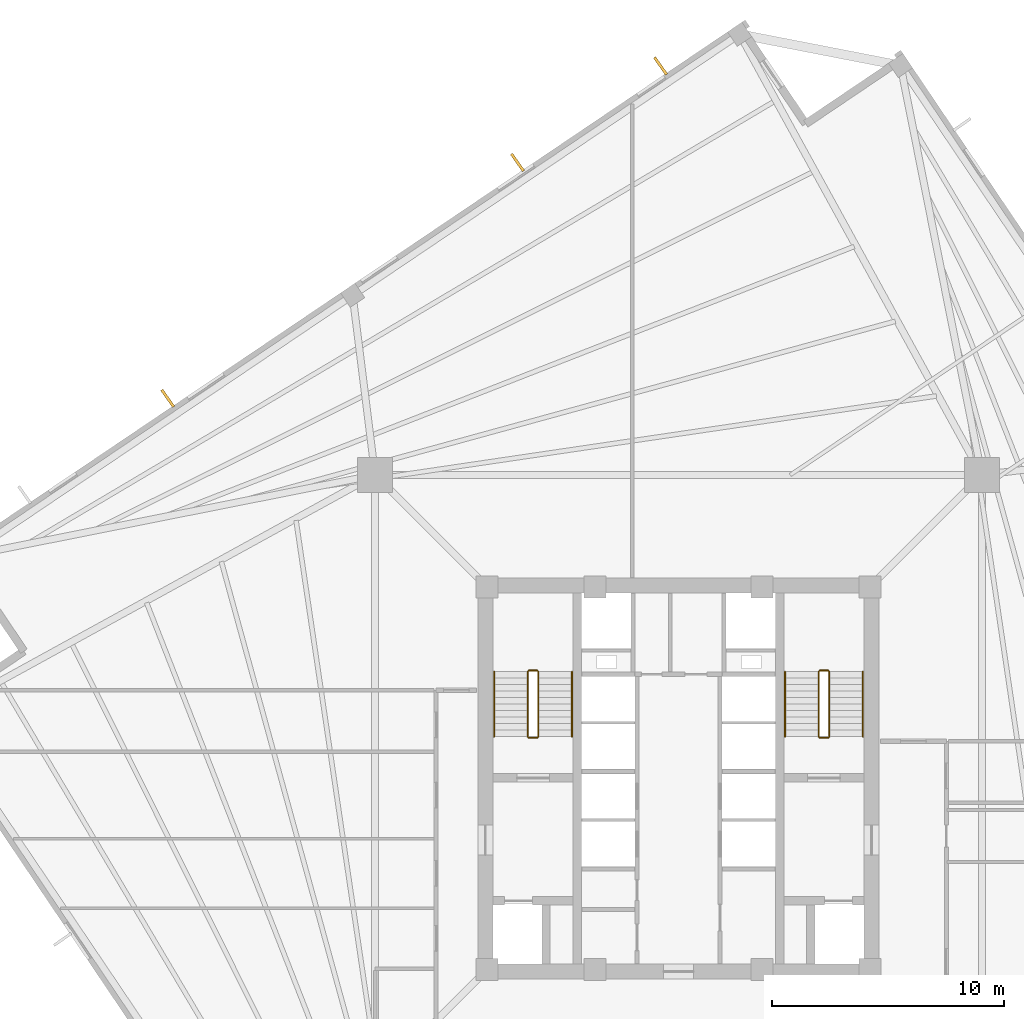
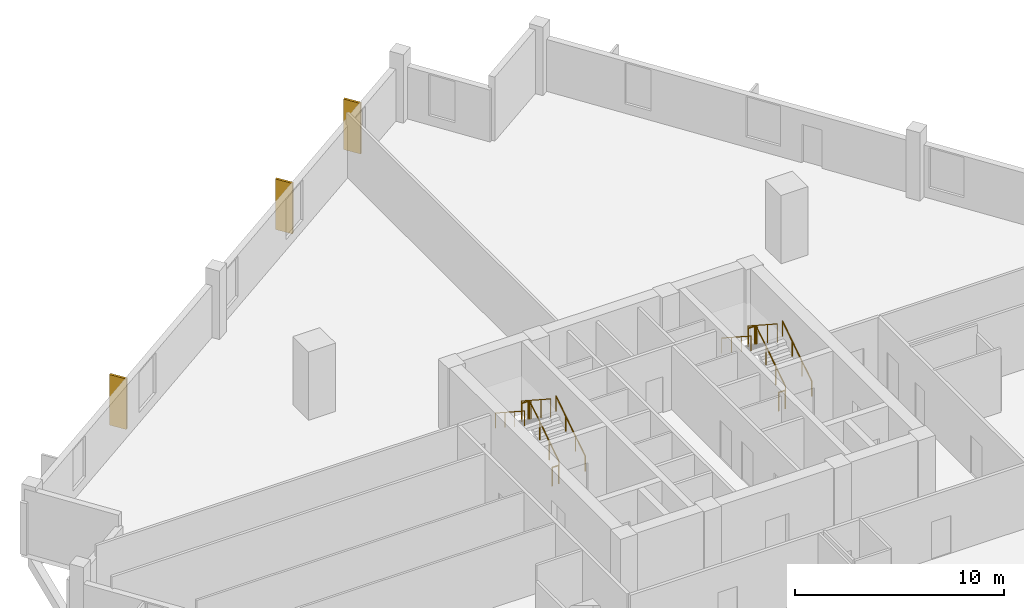
# One storey, part 8 of 9: 12 railings, 3 coverings.
"""IFC4 building model written with IfcOpenShell, lengths in metres."""

from ifc_helpers import new_model, si_unit, direction, frame, origin, origin_2d, place, context, subcontext, project, spatial, rectangle, circle, extrude, source, transform, mapped, material, layer, layer_set, type_object, element, save


model = new_model("IFC4")

# Units and contexts
model_context = context("Model", 3, precision=1e-05, world=origin(), true_north=direction((0.0, 1.0)))
body_context = subcontext(model_context, "Body", "Model", "MODEL_VIEW")
ifc_project = project(units=[si_unit("LENGTHUNIT", "METRE"), si_unit("AREAUNIT", "SQUARE_METRE"), si_unit("VOLUMEUNIT", "CUBIC_METRE"), si_unit("PLANEANGLEUNIT", "RADIAN"), si_unit("MASSUNIT", "GRAM", prefix="KILO"), si_unit("THERMODYNAMICTEMPERATUREUNIT", "KELVIN")], contexts=[model_context])

# Site, building, storey
site_placement = place(None, origin())
site = spatial("IfcSite", under=ifc_project, at=site_placement, CompositionType="ELEMENT")
building_placement = place(site_placement, origin())
building = spatial("IfcBuilding", under=site, at=building_placement, Name="Kosmvard Interchange Tower", CompositionType="ELEMENT")
storey_placement = place(building_placement, frame((0.0, 0.0, 180.39990234375)))
storey = spatial("IfcBuildingStorey", under=building, at=storey_placement, Name="L43", CompositionType="ELEMENT", Elevation=180.39990234375)

# Coverings
ifc_material_1 = material(Name="Architectural anodised aluminium", Category="aluminium")
ifc_layer = layer(ifc_material_1, 0.1201171875, Name="Architectural anodised aluminium")
ifc_layer_set = layer_set([ifc_layer], Name="Architectural anodised aluminium")
covering_type = type_object("IfcCoveringType", Name="Rotating Vertical Sun-Breaker Fin 900x120 Aluminium", PredefinedType="CLADDING", material=ifc_layer_set)
shared_shape_1 = source(origin(), body_context, "Body", "SweptSolid", [
    extrude(rectangle(XDim=0.89990234375, YDim=0.1201171875, at=origin_2d()), origin(), (0.0, 0.0, 1.0), 2.9599609375),
])
for number, where, z_axis, x_axis, name in (
    (1, (-0.774169921875, 30.718994140625, 0.0400390625), (0.0, 0.0, 1.0), (-0.575433555394, 0.817848533243, 0.0), "L43 Rotating Vertical Sun-Breaker Fin 09"),
    (2, (-6.943115234375, 26.557861328125, 0.0400390625), (0.0, 0.0, 1.0), (-0.575433555394, 0.817848533243, 0.0), "L43 Rotating Vertical Sun-Breaker Fin 10"),
    (3, (-22.02294921875, 16.38623046875, 0.0400390625), (0.0, 0.0, 1.0), (-0.575433555394, 0.817848533243, 0.0), "L43 Rotating Vertical Sun-Breaker Fin 11"),
):
    element("IfcCovering", number, at=place(storey_placement, frame(where, z_axis=z_axis, x_axis=x_axis)), inside=storey, type_object=covering_type, Name=name, PredefinedType="CLADDING", context=body_context, shape_type="MappedRepresentation", body=[
        mapped(shared_shape_1, transform((0.0, 0.0, 0.0), scale=1.0)),
    ])

# Railings
ifc_material_2 = material(Name="Steel S355", Category="steel")
railing_type_1 = type_object("IfcRailingType", Name="Stair & Terrace Safety Guardrail 1100 Steel", PredefinedType="GUARDRAIL", material=ifc_material_2)
shared_shape_2 = source(origin(), body_context, "Body", "SweptSolid", [
    extrude(circle(Radius=0.02392578125, at=origin_2d()), frame((0.0, 0.0, 1.076171875), z_axis=(-1.0, 0.0, 0.0), x_axis=(0.0, -1.0, 0.0)), (0.0, 0.0, 1.0), 0.35986328125),
    extrude(circle(Radius=0.02099609375, at=origin_2d()), origin(), (0.0, 0.0, 1.0), 1.052001953125),
    extrude(circle(Radius=0.02099609375, at=origin_2d()), frame((-0.35986328125, 0.0, 0.0)), (0.0, 0.0, 1.0), 1.052001953125),
])
for number, where, name in (
    (4, (-6.090087890625, 4.64990234375, 2.0), "L43 ST-1 stair guard 2"),
    (5, (-6.090087890625, 1.75, 0.0), "L43 ST-1 stair guard 4"),
    (6, (6.449951171875, 4.64990234375, 2.0), "L43 ST-2 stair guard 2"),
    (7, (6.449951171875, 1.75, 0.0), "L43 ST-2 stair guard 4"),
):
    element("IfcRailing", number, at=place(storey_placement, frame(where)), inside=storey, type_object=railing_type_1, Name=name, PredefinedType="GUARDRAIL", context=body_context, shape_type="MappedRepresentation", body=[
        mapped(shared_shape_2, transform((0.0, 0.0, 0.0), scale=1.0)),
    ])
shared_shape_3 = source(origin(), body_context, "Body", "SweptSolid", [
    extrude(circle(Radius=0.02392578125, at=origin_2d()), frame((0.0, 0.0, 1.076171875), z_axis=(0.0, 0.838705829183, 0.544584733623), x_axis=(-1.0, 0.0, 0.0)), (0.0, 0.0, 1.0), 3.338623046875),
    extrude(circle(Radius=0.02099609375, at=origin_2d()), origin(), (0.0, 0.0, 1.0), 1.052001953125),
    extrude(circle(Radius=0.02099609375, at=origin_2d()), frame((0.0, 0.933349609375, 0.60595703125)), (0.0, 0.0, 1.0), 1.052001953125),
    extrude(circle(Radius=0.02099609375, at=origin_2d()), frame((0.0, 1.86669921875, 1.212158203125)), (0.0, 0.0, 1.0), 1.052001953125),
    extrude(circle(Radius=0.02099609375, at=origin_2d()), frame((0.0, 2.800048828125, 1.818115234375)), (0.0, 0.0, 1.0), 1.052001953125),
])
for number, where, name in (
    (8, (-6.0400390625, 1.800048828125, 0.181884765625), "L43 ST-1 stair guard 1"),
    (9, (6.5, 1.800048828125, 0.181884765625), "L43 ST-2 stair guard 1"),
):
    element("IfcRailing", number, at=place(storey_placement, frame(where)), inside=storey, type_object=railing_type_1, Name=name, PredefinedType="GUARDRAIL", context=body_context, shape_type="MappedRepresentation", body=[
        mapped(shared_shape_3, transform((0.0, 0.0, 0.0), scale=1.0)),
    ])
shared_shape_4 = source(origin(), body_context, "Body", "SweptSolid", [
    extrude(circle(Radius=0.02392578125, at=origin_2d()), frame((0.0, 0.0, 1.076171875), z_axis=(0.0, -0.838705829183, 0.544584733623), x_axis=(1.0, 0.0, 0.0)), (0.0, 0.0, 1.0), 3.338623046875),
    extrude(circle(Radius=0.02099609375, at=origin_2d()), origin(), (0.0, 0.0, 1.0), 1.052001953125),
    extrude(circle(Radius=0.02099609375, at=origin_2d()), frame((0.0, -0.933349609375, 0.60595703125)), (0.0, 0.0, 1.0), 1.052001953125),
    extrude(circle(Radius=0.02099609375, at=origin_2d()), frame((0.0, -1.86669921875, 1.212158203125)), (0.0, 0.0, 1.0), 1.052001953125),
    extrude(circle(Radius=0.02099609375, at=origin_2d()), frame((0.0, -2.800048828125, 1.818115234375)), (0.0, 0.0, 1.0), 1.052001953125),
])
for number, where, name in (
    (10, (-6.5, 4.60009765625, 2.181884765625), "L43 ST-1 stair guard 3"),
    (11, (6.0400390625, 4.60009765625, 2.181884765625), "L43 ST-2 stair guard 3"),
):
    element("IfcRailing", number, at=place(storey_placement, frame(where)), inside=storey, type_object=railing_type_1, Name=name, PredefinedType="GUARDRAIL", context=body_context, shape_type="MappedRepresentation", body=[
        mapped(shared_shape_4, transform((0.0, 0.0, 0.0), scale=1.0)),
    ])
railing_type_2 = type_object("IfcRailingType", Name="Wall-Mounted Stair Handrail 900 Steel", PredefinedType="HANDRAIL", material=ifc_material_2)
shared_shape_5 = source(origin(), body_context, "Body", "SweptSolid", [
    extrude(circle(Radius=0.02392578125, at=origin_2d()), frame((0.0, 0.0, 0.8759765625), z_axis=(0.0, 0.838705829183, 0.544584733623), x_axis=(-1.0, 0.0, 0.0)), (0.0, 0.0, 1.0), 3.338623046875),
    extrude(circle(Radius=0.02099609375, at=origin_2d()), origin(), (0.0, 0.0, 1.0), 0.851806640625),
    extrude(circle(Radius=0.02099609375, at=origin_2d()), frame((0.0, 0.933349609375, 0.60595703125)), (0.0, 0.0, 1.0), 0.851806640625),
    extrude(circle(Radius=0.02099609375, at=origin_2d()), frame((0.0, 1.86669921875, 1.212158203125)), (0.0, 0.0, 1.0), 0.851806640625),
    extrude(circle(Radius=0.02099609375, at=origin_2d()), frame((0.0, 2.800048828125, 1.818115234375)), (0.0, 0.0, 1.0), 0.851806640625),
])
for number, where, name in (
    (12, (-4.590087890625, 1.800048828125, 0.181884765625), "L43 ST-1 stair handrail 1"),
    (13, (7.949951171875, 1.800048828125, 0.181884765625), "L43 ST-2 stair handrail 1"),
):
    element("IfcRailing", number, at=place(storey_placement, frame(where)), inside=storey, type_object=railing_type_2, Name=name, PredefinedType="HANDRAIL", context=body_context, shape_type="MappedRepresentation", body=[
        mapped(shared_shape_5, transform((0.0, 0.0, 0.0), scale=1.0)),
    ])
shared_shape_6 = source(origin(), body_context, "Body", "SweptSolid", [
    extrude(circle(Radius=0.02392578125, at=origin_2d()), frame((0.0, 0.0, 0.8759765625), z_axis=(0.0, -0.838705829183, 0.544584733623), x_axis=(1.0, 0.0, 0.0)), (0.0, 0.0, 1.0), 3.338623046875),
    extrude(circle(Radius=0.02099609375, at=origin_2d()), origin(), (0.0, 0.0, 1.0), 0.851806640625),
    extrude(circle(Radius=0.02099609375, at=origin_2d()), frame((0.0, -0.933349609375, 0.60595703125)), (0.0, 0.0, 1.0), 0.851806640625),
    extrude(circle(Radius=0.02099609375, at=origin_2d()), frame((0.0, -1.86669921875, 1.212158203125)), (0.0, 0.0, 1.0), 0.851806640625),
    extrude(circle(Radius=0.02099609375, at=origin_2d()), frame((0.0, -2.800048828125, 1.818115234375)), (0.0, 0.0, 1.0), 0.851806640625),
])
for number, where, name in (
    (14, (-7.949951171875, 4.60009765625, 2.181884765625), "L43 ST-1 stair handrail 2"),
    (15, (4.590087890625, 4.60009765625, 2.181884765625), "L43 ST-2 stair handrail 2"),
):
    element("IfcRailing", number, at=place(storey_placement, frame(where)), inside=storey, type_object=railing_type_2, Name=name, PredefinedType="HANDRAIL", context=body_context, shape_type="MappedRepresentation", body=[
        mapped(shared_shape_6, transform((0.0, 0.0, 0.0), scale=1.0)),
    ])

save(model, "model.ifc")
